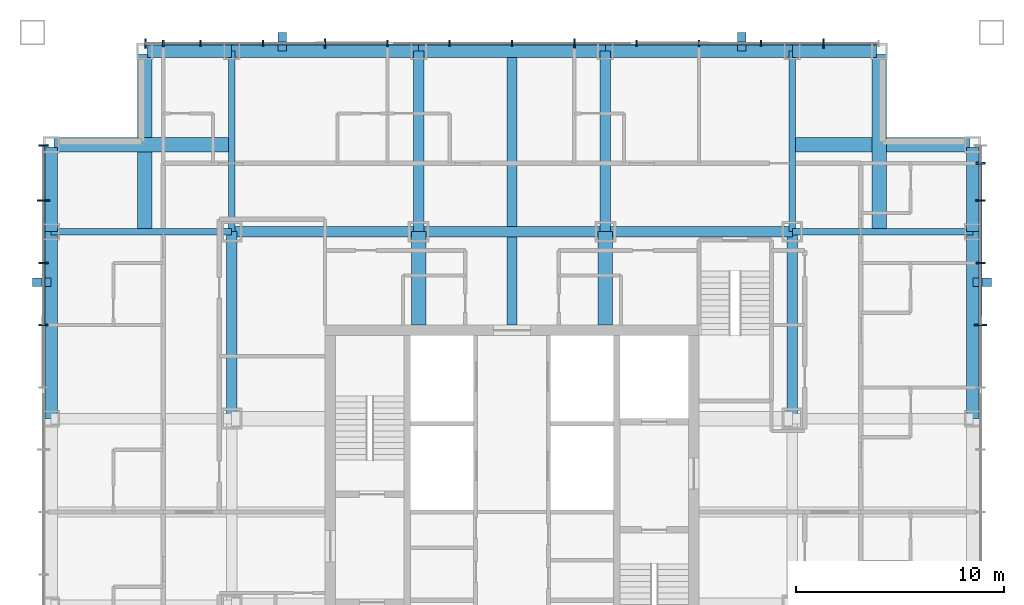
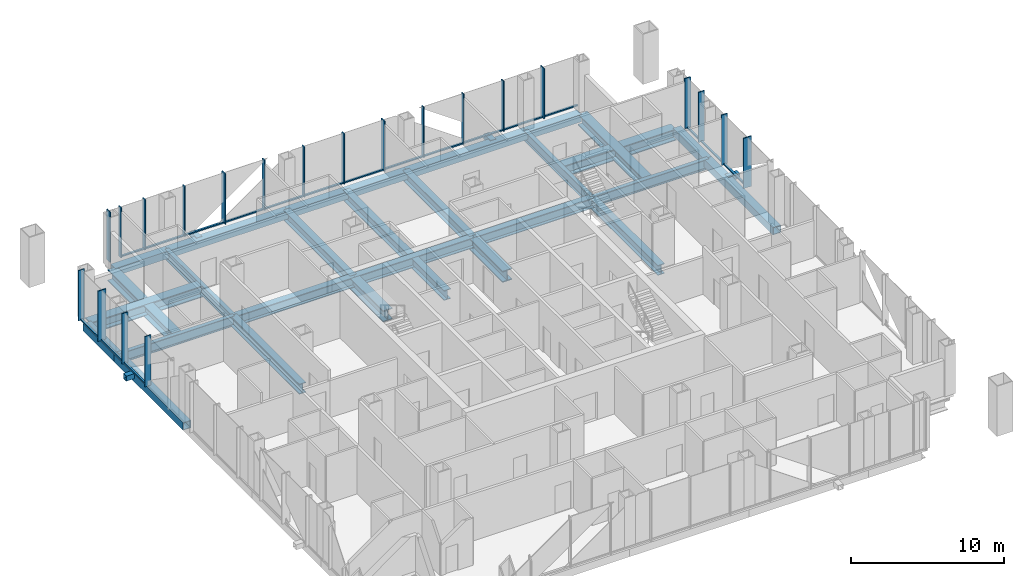
# One storey, part 4 of 17: 43 members, 27 beams, 3 elements without a shape of their own.
"""IFC4 building model written with IfcOpenShell, lengths in metres."""

import ifcopenshell
import ifcopenshell.guid

model = None  # the IFC model being written
_history = None  # IfcOwnerHistory: only IFC2X3 demands one
_inside = {}  # id of a spatial element -> (the spatial element, [elements in it])
_under = {}  # id of a project, library or spatial element -> (it, [spatial elements below it])
_declared = {}  # id of a project -> (the project, [libraries it declares])
_typed = {}  # id of a type object -> (the type object, [elements of that type])
_made_of = {}  # id of a material, layer set ... -> (it, [elements and type objects made of it])


def new_model(schema):
    """Start an empty IFC model of exactly this schema.

    Asked for "IFC4X3", IfcOpenShell would pick the latest addendum, in which some entities
    have other attributes; the version numbers below select the first issue.
    IFC2X3 requires an IfcOwnerHistory on every rooted entity: one is made here for all.
    """
    global model, _history
    if schema == "IFC4X3":
        model = ifcopenshell.file(schema_version=(4, 3, 0, 0))
    else:
        model = ifcopenshell.file(schema=schema)
    _inside.clear()
    _under.clear()
    _declared.clear()
    _typed.clear()
    _made_of.clear()
    _history = None
    if model.schema == "IFC2X3":
        org = make("IfcOrganization", Name="unknown")
        user = make(
            "IfcPersonAndOrganization",
            ThePerson=make("IfcPerson", FamilyName="unknown"),
            TheOrganization=org,
        )
        app = make(
            "IfcApplication",
            ApplicationDeveloper=org,
            Version="unknown",
            ApplicationFullName="unknown",
            ApplicationIdentifier="unknown",
        )
        _history = make(
            "IfcOwnerHistory",
            OwningUser=user,
            OwningApplication=app,
            ChangeAction="ADDED",
            CreationDate=0,
        )
    return model


def make(cls, **values):
    """One entity of the class cls with the attributes given. An attribute that is None is left unset."""
    return model.create_entity(
        cls, **{name: value for name, value in values.items() if value is not None}
    )


def rooted(cls, **values):
    """An entity with a GlobalId (a new one), such as an element, a storey or a relation."""
    return make(cls, GlobalId=ifcopenshell.guid.new(), OwnerHistory=_history, **values)


def si_unit(unit_type, name, prefix=None):
    """IfcSIUnit, for example si_unit("LENGTHUNIT", "METRE", prefix="MILLI")."""
    return make("IfcSIUnit", UnitType=unit_type, Prefix=prefix, Name=name)


def assignment(units):
    """IfcUnitAssignment: the units of a project."""
    return None if units is None else make("IfcUnitAssignment", Units=units)


def point(xyz):
    """IfcCartesianPoint."""
    return None if xyz is None else make("IfcCartesianPoint", Coordinates=xyz)


def direction(xyz):
    """IfcDirection."""
    return None if xyz is None else make("IfcDirection", DirectionRatios=xyz)


def frame(location, z_axis=None, x_axis=None):
    """IfcAxis2Placement3D, a coordinate frame: its origin and axes. An axis left out is left unset."""
    return make(
        "IfcAxis2Placement3D",
        Location=point(location),
        Axis=direction(z_axis),
        RefDirection=direction(x_axis),
    )


def frame_2d(location, x_axis=None):
    """IfcAxis2Placement2D, a coordinate frame in the plane: its origin and x axis."""
    return make(
        "IfcAxis2Placement2D", Location=point(location), RefDirection=direction(x_axis)
    )


def origin():
    """The frame at (0, 0, 0) with its axes left unset."""
    return frame((0.0, 0.0, 0.0))


def origin_2d():
    """The frame at (0, 0) in the plane with its x axis left unset."""
    return frame_2d((0.0, 0.0))


def place(relative_to, where):
    """IfcLocalPlacement: puts the frame where relative to a parent placement (None: the world)."""
    return make(
        "IfcLocalPlacement", PlacementRelTo=relative_to, RelativePlacement=where
    )


def context(
    kind, dimensions, precision=None, world=None, true_north=None, identifier=None
):
    """IfcGeometricRepresentationContext, for example the 3D "Model" context."""
    return make(
        "IfcGeometricRepresentationContext",
        ContextIdentifier=identifier,
        ContextType=kind,
        CoordinateSpaceDimension=dimensions,
        Precision=precision,
        WorldCoordinateSystem=world,
        TrueNorth=true_north,
    )


def subcontext(parent, identifier, kind, view, scale=None):
    """IfcGeometricRepresentationSubContext, for example "Body" below "Model"."""
    return make(
        "IfcGeometricRepresentationSubContext",
        ContextIdentifier=identifier,
        ContextType=kind,
        ParentContext=parent,
        TargetScale=scale,
        TargetView=view,
    )


def project(units=None, contexts=None):
    """IfcProject with its units and contexts."""
    return rooted(
        "IfcProject",
        Name="project",
        RepresentationContexts=contexts,
        UnitsInContext=assignment(units),
    )


def spatial(cls, under=None, at=None, **own):
    """A site, building, storey or space (cls), placed at a placement, below another one or the project."""
    s = rooted(cls, ObjectPlacement=at, **own)
    if under is not None:
        _under.setdefault(under.id(), (under, []))[1].append(s)
    return s


def profile(cls, at=None, kind="AREA", **sizes):
    """A parametric profile (cls). Its sizes go by their IFC names, for example OverallWidth=200.0."""
    return make(cls, ProfileType=kind, Position=at, **sizes)


def rectangle(**sizes):
    """IfcRectangleProfileDef."""
    return profile("IfcRectangleProfileDef", **sizes)


def hollow_rectangle(**sizes):
    """IfcRectangleHollowProfileDef."""
    return profile("IfcRectangleHollowProfileDef", **sizes)


def i_section(**sizes):
    """IfcIShapeProfileDef."""
    return profile("IfcIShapeProfileDef", **sizes)


def extrude(swept, where, along, depth):
    """IfcExtrudedAreaSolid: the profile swept, set in the frame where, extruded along a direction by depth."""
    return make(
        "IfcExtrudedAreaSolid",
        SweptArea=swept,
        Position=where,
        ExtrudedDirection=direction(along),
        Depth=depth,
    )


def shape(context_of_items, identifier, shape_type, items):
    """IfcShapeRepresentation: the items that make up one representation, for example the "Body"."""
    return make(
        "IfcShapeRepresentation",
        ContextOfItems=context_of_items,
        RepresentationIdentifier=identifier,
        RepresentationType=shape_type,
        Items=items,
    )


def material(Name=None, Category=None):
    """IfcMaterial."""
    return make("IfcMaterial", Name=Name, Category=Category)


def layer(
    of_material, thickness, ventilated=None, Name=None, Category=None, Priority=None
):
    """IfcMaterialLayer: one layer of a wall or slab, of a material (None: an air gap)."""
    return make(
        "IfcMaterialLayer",
        Material=of_material,
        LayerThickness=thickness,
        IsVentilated=ventilated,
        Name=Name,
        Category=Category,
        Priority=Priority,
    )


def layer_set(layers, Name=None):
    """IfcMaterialLayerSet."""
    return make("IfcMaterialLayerSet", MaterialLayers=layers, LayerSetName=Name)


def material_profile(
    of_material, cross_section, Name=None, Category=None, Priority=None
):
    """IfcMaterialProfile: a cross section and its material."""
    return make(
        "IfcMaterialProfile",
        Name=Name,
        Material=of_material,
        Profile=cross_section,
        Priority=Priority,
        Category=Category,
    )


def profile_set(profiles, Name=None, composite=None):
    """IfcMaterialProfileSet."""
    return make(
        "IfcMaterialProfileSet",
        Name=Name,
        MaterialProfiles=profiles,
        CompositeProfile=composite,
    )


def made_of(thing, what):
    """Note that an element or type object is made of a material, layer set ...; save() writes the relation."""
    if what is not None:
        _made_of.setdefault(what.id(), (what, []))[1].append(thing)
    return thing


def type_object(cls, material=None, **own):
    """A type object (cls), such as IfcWallType, which elements share."""
    return made_of(rooted(cls, **own), material)


def element(
    cls,
    number,
    at=None,
    inside=None,
    cuts=None,
    type_object=None,
    material=None,
    context=None,
    identifier="Body",
    shape_type=None,
    held_by="IfcProductDefinitionShape",
    body=None,
    shapes=None,
    **own,
):
    """One element of the class cls, such as IfcWall. Its Tag is "e" and its number.

    at: its placement. inside: the storey or other place that contains it. cuts: it is an
    opening in that element (IfcRelVoidsElement). A single representation is given by context,
    identifier, shape_type and body (its items); several are given by shapes. held_by: the class
    of the entity that holds the representations. save() writes the other relations.
    """
    e = rooted(cls, Tag="e%d" % number, ObjectPlacement=at, **own)
    if body is not None:
        shapes = [shape(context, identifier, shape_type, body)]
    if shapes is not None:
        e.Representation = make(held_by, Representations=shapes)
    if inside is not None:
        _inside.setdefault(inside.id(), (inside, []))[1].append(e)
    if cuts is not None:
        rooted(
            "IfcRelVoidsElement", RelatingBuildingElement=cuts, RelatedOpeningElement=e
        )
    if type_object is not None:
        _typed.setdefault(type_object.id(), (type_object, []))[1].append(e)
    return made_of(e, material)


def aggregate(whole, parts):
    """IfcRelAggregates: a whole, such as a stair, and the parts it consists of."""
    return rooted("IfcRelAggregates", RelatingObject=whole, RelatedObjects=parts)


def save(model, path):
    """Write the relations noted so far, then the file.

    IfcRelAggregates (storeys below a building ...), IfcRelContainedInSpatialStructure (elements
    in a storey), IfcRelDefinesByType, IfcRelAssociatesMaterial and IfcRelDeclares: one each for
    every whole, place, type object, material and project.
    """
    for whole, parts in _under.values():
        aggregate(whole, parts)
    for where, things in _inside.values():
        rooted(
            "IfcRelContainedInSpatialStructure",
            RelatedElements=things,
            RelatingStructure=where,
        )
    for kind, things in _typed.values():
        rooted("IfcRelDefinesByType", RelatedObjects=things, RelatingType=kind)
    for what, things in _made_of.values():
        rooted("IfcRelAssociatesMaterial", RelatedObjects=things, RelatingMaterial=what)
    for by, libraries in _declared.values():
        rooted("IfcRelDeclares", RelatingContext=by, RelatedDefinitions=libraries)
    model.write(path)


model = new_model("IFC4")

# Units and contexts
model_context = context("Model", 3, precision=1e-05, world=origin(), true_north=direction((0.0, 1.0)))
body_context = subcontext(model_context, "Body", "Model", "MODEL_VIEW")
ifc_project = project(units=[si_unit("LENGTHUNIT", "METRE"), si_unit("AREAUNIT", "SQUARE_METRE"), si_unit("VOLUMEUNIT", "CUBIC_METRE"), si_unit("PLANEANGLEUNIT", "RADIAN"), si_unit("MASSUNIT", "GRAM", prefix="KILO")], contexts=[model_context])

# Site, building, storey
site_placement = place(None, origin())
site = spatial("IfcSite", under=ifc_project, at=site_placement, CompositionType="ELEMENT")
building_placement = place(site_placement, origin())
building = spatial("IfcBuilding", under=site, at=building_placement, Name="Malebo Sky Hospital", CompositionType="ELEMENT")
storey_placement = place(building_placement, frame((0.0, 0.0, 185.0)))
storey = spatial("IfcBuildingStorey", under=building, at=storey_placement, Name="L44", CompositionType="ELEMENT", Elevation=185.0)

# Curtain wall, members
ifc_material_1 = material(Name="Anodised aluminium, natural silver", Category="aluminium")
ifc_layer_1 = layer(ifc_material_1, 0.25)
ifc_layer_set_1 = layer_set([ifc_layer_1], Name="WARD CURTAIN WALL NORTH AND SOUTH")
curtain_wall_type_1 = type_object("IfcCurtainWallType", Name="WARD CURTAIN WALL NORTH AND SOUTH", PredefinedType="NOTDEFINED", material=ifc_layer_set_1)
curtain_wall_1_placement = place(storey_placement, origin())
curtain_wall_1 = element("IfcCurtainWall", 1, at=curtain_wall_1_placement, inside=storey, type_object=curtain_wall_type_1, Name="NS curtain wall N", PredefinedType="NOTDEFINED")
ifc_material_profile_1 = material_profile(ifc_material_1, rectangle(XDim=0.14990234375, YDim=0.10009765625, at=origin_2d()), Name="ALUMINIUM TRANSOM 150x100")
ifc_profile_set_1 = profile_set([ifc_material_profile_1], Name="Anodised aluminium, natural silver")
member_type_1 = type_object("IfcMemberType", Name="ALUMINIUM TRANSOM 150x100", PredefinedType="USERDEFINED", material=ifc_profile_set_1)
member_1_placement = place(storey_placement, frame((43.237548828125, 84.574951171875, 0.050048828125), z_axis=(1.0, 0.0, 0.0), x_axis=(0.0, 1.0, 0.0)))
member_1 = element("IfcMember", 2, at=member_1_placement, type_object=member_type_1, Name="Transom 2", ObjectType="TRANSOM", PredefinedType="USERDEFINED", context=body_context, shape_type="SweptSolid", body=[
    extrude(rectangle(XDim=0.14990234375, YDim=0.10009765625, at=origin_2d()), origin(), (0.0, 0.0, 1.0), 1.724853515625),
])
member_2_placement = place(storey_placement, frame((45.03759765625, 84.574951171875, 0.050048828125), z_axis=(1.0, 0.0, 0.0), x_axis=(0.0, 1.0, 0.0)))
member_2 = element("IfcMember", 3, at=member_2_placement, type_object=member_type_1, Name="Transom 3", ObjectType="TRANSOM", PredefinedType="USERDEFINED", context=body_context, shape_type="SweptSolid", body=[
    extrude(rectangle(XDim=0.14990234375, YDim=0.10009765625, at=origin_2d()), origin(), (0.0, 0.0, 1.0), 2.9248046875),
])
member_3_placement = place(storey_placement, frame((48.03759765625, 84.574951171875, 0.050048828125), z_axis=(1.0, 0.0, 0.0), x_axis=(0.0, 1.0, 0.0)))
member_3 = element("IfcMember", 4, at=member_3_placement, type_object=member_type_1, Name="Transom 4", ObjectType="TRANSOM", PredefinedType="USERDEFINED", context=body_context, shape_type="SweptSolid", body=[
    extrude(rectangle(XDim=0.14990234375, YDim=0.10009765625, at=origin_2d()), origin(), (0.0, 0.0, 1.0), 2.9248046875),
])
member_4_placement = place(storey_placement, frame((51.03759765625, 84.574951171875, 0.050048828125), z_axis=(1.0, 0.0, 0.0), x_axis=(0.0, 1.0, 0.0)))
member_4 = element("IfcMember", 5, at=member_4_placement, type_object=member_type_1, Name="Transom 5", ObjectType="TRANSOM", PredefinedType="USERDEFINED", context=body_context, shape_type="SweptSolid", body=[
    extrude(rectangle(XDim=0.14990234375, YDim=0.10009765625, at=origin_2d()), origin(), (0.0, 0.0, 1.0), 2.9248046875),
])
member_5_placement = place(storey_placement, frame((54.03759765625, 84.574951171875, 0.050048828125), z_axis=(1.0, 0.0, 0.0), x_axis=(0.0, 1.0, 0.0)))
member_5 = element("IfcMember", 6, at=member_5_placement, type_object=member_type_1, Name="Transom 6", ObjectType="TRANSOM", PredefinedType="USERDEFINED", context=body_context, shape_type="SweptSolid", body=[
    extrude(rectangle(XDim=0.14990234375, YDim=0.10009765625, at=origin_2d()), origin(), (0.0, 0.0, 1.0), 2.9248046875),
])
member_6_placement = place(storey_placement, frame((57.03759765625, 84.574951171875, 0.050048828125), z_axis=(1.0, 0.0, 0.0), x_axis=(0.0, 1.0, 0.0)))
member_6 = element("IfcMember", 7, at=member_6_placement, type_object=member_type_1, Name="Transom 7", ObjectType="TRANSOM", PredefinedType="USERDEFINED", context=body_context, shape_type="SweptSolid", body=[
    extrude(rectangle(XDim=0.14990234375, YDim=0.10009765625, at=origin_2d()), origin(), (0.0, 0.0, 1.0), 2.9248046875),
])
member_7_placement = place(storey_placement, frame((60.03759765625, 84.574951171875, 0.050048828125), z_axis=(1.0, 0.0, 0.0), x_axis=(0.0, 1.0, 0.0)))
member_7 = element("IfcMember", 8, at=member_7_placement, type_object=member_type_1, Name="Transom 8", ObjectType="TRANSOM", PredefinedType="USERDEFINED", context=body_context, shape_type="SweptSolid", body=[
    extrude(rectangle(XDim=0.14990234375, YDim=0.10009765625, at=origin_2d()), origin(), (0.0, 0.0, 1.0), 2.9248046875),
])
member_8_placement = place(storey_placement, frame((63.03759765625, 84.574951171875, 0.050048828125), z_axis=(1.0, 0.0, 0.0), x_axis=(0.0, 1.0, 0.0)))
member_8 = element("IfcMember", 9, at=member_8_placement, type_object=member_type_1, Name="Transom 9", ObjectType="TRANSOM", PredefinedType="USERDEFINED", context=body_context, shape_type="SweptSolid", body=[
    extrude(rectangle(XDim=0.14990234375, YDim=0.10009765625, at=origin_2d()), origin(), (0.0, 0.0, 1.0), 2.9248046875),
])
member_9_placement = place(storey_placement, frame((66.03759765625, 84.574951171875, 0.050048828125), z_axis=(1.0, 0.0, 0.0), x_axis=(0.0, 1.0, 0.0)))
member_9 = element("IfcMember", 10, at=member_9_placement, type_object=member_type_1, Name="Transom 10", ObjectType="TRANSOM", PredefinedType="USERDEFINED", context=body_context, shape_type="SweptSolid", body=[
    extrude(rectangle(XDim=0.14990234375, YDim=0.10009765625, at=origin_2d()), origin(), (0.0, 0.0, 1.0), 2.9248046875),
])
member_10_placement = place(storey_placement, frame((69.03759765625, 84.574951171875, 0.050048828125), z_axis=(1.0, 0.0, 0.0), x_axis=(0.0, 1.0, 0.0)))
member_10 = element("IfcMember", 11, at=member_10_placement, type_object=member_type_1, Name="Transom 11", ObjectType="TRANSOM", PredefinedType="USERDEFINED", context=body_context, shape_type="SweptSolid", body=[
    extrude(rectangle(XDim=0.14990234375, YDim=0.10009765625, at=origin_2d()), origin(), (0.0, 0.0, 1.0), 2.9248046875),
])
member_11_placement = place(storey_placement, frame((72.03759765625, 84.574951171875, 0.050048828125), z_axis=(1.0, 0.0, 0.0), x_axis=(0.0, 1.0, 0.0)))
member_11 = element("IfcMember", 12, at=member_11_placement, type_object=member_type_1, Name="Transom 12", ObjectType="TRANSOM", PredefinedType="USERDEFINED", context=body_context, shape_type="SweptSolid", body=[
    extrude(rectangle(XDim=0.14990234375, YDim=0.10009765625, at=origin_2d()), origin(), (0.0, 0.0, 1.0), 2.9248046875),
])
member_12_placement = place(storey_placement, frame((75.03759765625, 84.574951171875, 0.050048828125), z_axis=(1.0, 0.0, 0.0), x_axis=(0.0, 1.0, 0.0)))
member_12 = element("IfcMember", 13, at=member_12_placement, type_object=member_type_1, Name="Transom 13", ObjectType="TRANSOM", PredefinedType="USERDEFINED", context=body_context, shape_type="SweptSolid", body=[
    extrude(rectangle(XDim=0.14990234375, YDim=0.10009765625, at=origin_2d()), origin(), (0.0, 0.0, 1.0), 2.58740234375),
])

ifc_layer_2 = layer(ifc_material_1, 0.25)
ifc_layer_set_2 = layer_set([ifc_layer_2], Name="WARD CURTAIN WALL EAST AND WEST")
curtain_wall_type_2 = type_object("IfcCurtainWallType", Name="WARD CURTAIN WALL EAST AND WEST", PredefinedType="NOTDEFINED", material=ifc_layer_set_2)
curtain_wall_2_placement = place(storey_placement, origin())
curtain_wall_2 = element("IfcCurtainWall", 14, at=curtain_wall_2_placement, inside=storey, type_object=curtain_wall_type_2, Name="EW curtain wall W", PredefinedType="NOTDEFINED")
member_13_placement = place(storey_placement, frame((37.425048828125, 71.03759765625, 0.050048828125), z_axis=(0.0, 1.0, 0.0), x_axis=(-1.0, 0.0, 0.0)))
member_13 = element("IfcMember", 15, at=member_13_placement, type_object=member_type_1, Name="Transom 11", ObjectType="TRANSOM", PredefinedType="USERDEFINED", context=body_context, shape_type="SweptSolid", body=[
    extrude(rectangle(XDim=0.14990234375, YDim=0.10009765625, at=origin_2d()), origin(), (0.0, 0.0, 1.0), 2.9248046875),
])
member_14_placement = place(storey_placement, frame((37.425048828125, 74.03759765625, 0.050048828125), z_axis=(0.0, 1.0, 0.0), x_axis=(-1.0, 0.0, 0.0)))
member_14 = element("IfcMember", 16, at=member_14_placement, type_object=member_type_1, Name="Transom 12", ObjectType="TRANSOM", PredefinedType="USERDEFINED", context=body_context, shape_type="SweptSolid", body=[
    extrude(rectangle(XDim=0.14990234375, YDim=0.10009765625, at=origin_2d()), origin(), (0.0, 0.0, 1.0), 2.9248046875),
])
member_15_placement = place(storey_placement, frame((37.425048828125, 77.03759765625, 0.050048828125), z_axis=(0.0, 1.0, 0.0), x_axis=(-1.0, 0.0, 0.0)))
member_15 = element("IfcMember", 17, at=member_15_placement, type_object=member_type_1, Name="Transom 13", ObjectType="TRANSOM", PredefinedType="USERDEFINED", context=body_context, shape_type="SweptSolid", body=[
    extrude(rectangle(XDim=0.14990234375, YDim=0.10009765625, at=origin_2d()), origin(), (0.0, 0.0, 1.0), 2.58740234375),
])

curtain_wall_3_placement = place(storey_placement, origin())
curtain_wall_3 = element("IfcCurtainWall", 18, at=curtain_wall_3_placement, inside=storey, type_object=curtain_wall_type_2, Name="EW curtain wall E", PredefinedType="NOTDEFINED")
member_16_placement = place(storey_placement, frame((82.574951171875, 78.762451171875, 0.050048828125), z_axis=(0.0, -1.0, 0.0), x_axis=(1.0, 0.0, 0.0)))
member_16 = element("IfcMember", 19, at=member_16_placement, type_object=member_type_1, Name="Transom 2", ObjectType="TRANSOM", PredefinedType="USERDEFINED", context=body_context, shape_type="SweptSolid", body=[
    extrude(rectangle(XDim=0.14990234375, YDim=0.10009765625, at=origin_2d()), origin(), (0.0, 0.0, 1.0), 1.724853515625),
])
member_17_placement = place(storey_placement, frame((82.574951171875, 76.96240234375, 0.050048828125), z_axis=(0.0, -1.0, 0.0), x_axis=(1.0, 0.0, 0.0)))
member_17 = element("IfcMember", 20, at=member_17_placement, type_object=member_type_1, Name="Transom 3", ObjectType="TRANSOM", PredefinedType="USERDEFINED", context=body_context, shape_type="SweptSolid", body=[
    extrude(rectangle(XDim=0.14990234375, YDim=0.10009765625, at=origin_2d()), origin(), (0.0, 0.0, 1.0), 2.9248046875),
])
member_18_placement = place(storey_placement, frame((82.574951171875, 73.96240234375, 0.050048828125), z_axis=(0.0, -1.0, 0.0), x_axis=(1.0, 0.0, 0.0)))
member_18 = element("IfcMember", 21, at=member_18_placement, type_object=member_type_1, Name="Transom 4", ObjectType="TRANSOM", PredefinedType="USERDEFINED", context=body_context, shape_type="SweptSolid", body=[
    extrude(rectangle(XDim=0.14990234375, YDim=0.10009765625, at=origin_2d()), origin(), (0.0, 0.0, 1.0), 2.9248046875),
])

# Members
ifc_material_2 = material(Name="Steel S355", Category="steel")
ifc_material_profile_2 = material_profile(ifc_material_2, hollow_rectangle(XDim=0.39990234375, YDim=0.39990234375, WallThickness=0.02001953125, at=origin_2d()), Name="SHS 400x20")
ifc_profile_set_2 = profile_set([ifc_material_profile_2], Name="Steel S355")
member_type_2 = type_object("IfcMemberType", Name="BRACE STRUT SHS 400x20", PredefinedType="STRUT", material=ifc_profile_set_2)
for number, where, z_axis, x_axis, name in (
    (22, (71.069580078125, 85.10009765625, -0.39990234375), (0.0, -1.0, 0.0), (1.0, 0.0, 0.0), "Brace strut CN1 L44"),
    (23, (48.930419921875, 85.10009765625, -0.39990234375), (0.0, -1.0, 0.0), (1.0, 0.0, 0.0), "Brace strut CN2 L44"),
    (24, (83.10009765625, 73.069580078125, -0.39990234375), (-1.0, 0.0, 0.0), (0.0, -1.0, 0.0), "Brace strut CE2 L44"),
    (25, (36.89990234375, 73.069580078125, -0.39990234375), (1.0, 0.0, 0.0), (0.0, 1.0, 0.0), "Brace strut CW1 L44"),
):
    element("IfcMember", number, at=place(storey_placement, frame(where, z_axis=z_axis, x_axis=x_axis)), inside=storey, type_object=member_type_2, Name=name, PredefinedType="STRUT", context=body_context, shape_type="SweptSolid", body=[
        extrude(hollow_rectangle(XDim=0.39990234375, YDim=0.39990234375, WallThickness=0.02001953125, at=origin_2d()), origin(), (0.0, 0.0, 1.0), 0.900146484375),
    ])

# Member
ifc_material_profile_3 = material_profile(ifc_material_1, rectangle(XDim=0.074951171875, YDim=0.300048828125, at=origin_2d()), Name="CW1 ALUMINIUM FIN MULLION 75x300")
ifc_profile_set_3 = profile_set([ifc_material_profile_3], Name="Anodised aluminium, natural silver")
member_type_3 = type_object("IfcMemberType", Name="CW1 ALUMINIUM FIN MULLION 75x300", PredefinedType="MULLION", material=ifc_profile_set_3)
member_19_placement = place(storey_placement, frame((43.199951171875, 84.574951171875, 0.0), z_axis=(0.0, 0.0, 1.0), x_axis=(1.0, 0.0, 0.0)))
member_19 = element("IfcMember", 26, at=member_19_placement, type_object=member_type_3, Name="Fin mullion 2", PredefinedType="MULLION", context=body_context, shape_type="SweptSolid", body=[
    extrude(rectangle(XDim=0.074951171875, YDim=0.300048828125, at=origin_2d()), origin(), (0.0, 0.0, 1.0), 4.0),
])

member_20_placement = place(storey_placement, frame((45.0, 84.574951171875, 0.0), z_axis=(0.0, 0.0, 1.0), x_axis=(1.0, 0.0, 0.0)))
member_20 = element("IfcMember", 27, at=member_20_placement, type_object=member_type_3, Name="Fin mullion 3", PredefinedType="MULLION", context=body_context, shape_type="SweptSolid", body=[
    extrude(rectangle(XDim=0.074951171875, YDim=0.300048828125, at=origin_2d()), origin(), (0.0, 0.0, 1.0), 4.0),
])

member_21_placement = place(storey_placement, frame((48.0, 84.574951171875, 0.0), z_axis=(0.0, 0.0, 1.0), x_axis=(1.0, 0.0, 0.0)))
member_21 = element("IfcMember", 28, at=member_21_placement, type_object=member_type_3, Name="Fin mullion 4", PredefinedType="MULLION", context=body_context, shape_type="SweptSolid", body=[
    extrude(rectangle(XDim=0.074951171875, YDim=0.300048828125, at=origin_2d()), origin(), (0.0, 0.0, 1.0), 4.0),
])

member_22_placement = place(storey_placement, frame((54.0, 84.574951171875, 0.0), z_axis=(0.0, 0.0, 1.0), x_axis=(1.0, 0.0, 0.0)))
member_22 = element("IfcMember", 29, at=member_22_placement, type_object=member_type_3, Name="Fin mullion 6", PredefinedType="MULLION", context=body_context, shape_type="SweptSolid", body=[
    extrude(rectangle(XDim=0.074951171875, YDim=0.300048828125, at=origin_2d()), origin(), (0.0, 0.0, 1.0), 4.0),
])

member_23_placement = place(storey_placement, frame((57.0, 84.574951171875, 0.0), z_axis=(0.0, 0.0, 1.0), x_axis=(1.0, 0.0, 0.0)))
member_23 = element("IfcMember", 30, at=member_23_placement, type_object=member_type_3, Name="Fin mullion 7", PredefinedType="MULLION", context=body_context, shape_type="SweptSolid", body=[
    extrude(rectangle(XDim=0.074951171875, YDim=0.300048828125, at=origin_2d()), origin(), (0.0, 0.0, 1.0), 4.0),
])

member_24_placement = place(storey_placement, frame((60.0, 84.574951171875, 0.0), z_axis=(0.0, 0.0, 1.0), x_axis=(1.0, 0.0, 0.0)))
member_24 = element("IfcMember", 31, at=member_24_placement, type_object=member_type_3, Name="Fin mullion 8", PredefinedType="MULLION", context=body_context, shape_type="SweptSolid", body=[
    extrude(rectangle(XDim=0.074951171875, YDim=0.300048828125, at=origin_2d()), origin(), (0.0, 0.0, 1.0), 4.0),
])

member_25_placement = place(storey_placement, frame((66.0, 84.574951171875, 0.0), z_axis=(0.0, 0.0, 1.0), x_axis=(1.0, 0.0, 0.0)))
member_25 = element("IfcMember", 32, at=member_25_placement, type_object=member_type_3, Name="Fin mullion 10", PredefinedType="MULLION", context=body_context, shape_type="SweptSolid", body=[
    extrude(rectangle(XDim=0.074951171875, YDim=0.300048828125, at=origin_2d()), origin(), (0.0, 0.0, 1.0), 4.0),
])

member_26_placement = place(storey_placement, frame((69.0, 84.574951171875, 0.0), z_axis=(0.0, 0.0, 1.0), x_axis=(1.0, 0.0, 0.0)))
member_26 = element("IfcMember", 33, at=member_26_placement, type_object=member_type_3, Name="Fin mullion 11", PredefinedType="MULLION", context=body_context, shape_type="SweptSolid", body=[
    extrude(rectangle(XDim=0.074951171875, YDim=0.300048828125, at=origin_2d()), origin(), (0.0, 0.0, 1.0), 4.0),
])

member_27_placement = place(storey_placement, frame((72.0, 84.574951171875, 0.0), z_axis=(0.0, 0.0, 1.0), x_axis=(1.0, 0.0, 0.0)))
member_27 = element("IfcMember", 34, at=member_27_placement, type_object=member_type_3, Name="Fin mullion 12", PredefinedType="MULLION", context=body_context, shape_type="SweptSolid", body=[
    extrude(rectangle(XDim=0.074951171875, YDim=0.300048828125, at=origin_2d()), origin(), (0.0, 0.0, 1.0), 4.0),
])

ifc_material_profile_4 = material_profile(ifc_material_1, rectangle(XDim=0.074951171875, YDim=0.449951171875, at=origin_2d()), Name="CW1 ALUMINIUM FIN MULLION 75x450")
ifc_profile_set_4 = profile_set([ifc_material_profile_4], Name="Anodised aluminium, natural silver")
member_type_4 = type_object("IfcMemberType", Name="CW1 ALUMINIUM FIN MULLION 75x450", PredefinedType="MULLION", material=ifc_profile_set_4)
member_28_placement = place(storey_placement, frame((42.33740234375, 84.574951171875, 0.0), z_axis=(0.0, 0.0, 1.0), x_axis=(1.0, 0.0, 0.0)))
member_28 = element("IfcMember", 35, at=member_28_placement, type_object=member_type_4, Name="Fin mullion 1", PredefinedType="MULLION", context=body_context, shape_type="SweptSolid", body=[
    extrude(rectangle(XDim=0.074951171875, YDim=0.449951171875, at=origin_2d()), origin(), (0.0, 0.0, 1.0), 4.0),
])

member_29_placement = place(storey_placement, frame((51.0, 84.574951171875, 0.0), z_axis=(0.0, 0.0, 1.0), x_axis=(1.0, 0.0, 0.0)))
member_29 = element("IfcMember", 36, at=member_29_placement, type_object=member_type_4, Name="Fin mullion 5", PredefinedType="MULLION", context=body_context, shape_type="SweptSolid", body=[
    extrude(rectangle(XDim=0.074951171875, YDim=0.449951171875, at=origin_2d()), origin(), (0.0, 0.0, 1.0), 4.0),
])

member_30_placement = place(storey_placement, frame((63.0, 84.574951171875, 0.0), z_axis=(0.0, 0.0, 1.0), x_axis=(1.0, 0.0, 0.0)))
member_30 = element("IfcMember", 37, at=member_30_placement, type_object=member_type_4, Name="Fin mullion 9", PredefinedType="MULLION", context=body_context, shape_type="SweptSolid", body=[
    extrude(rectangle(XDim=0.074951171875, YDim=0.449951171875, at=origin_2d()), origin(), (0.0, 0.0, 1.0), 4.0),
])

member_31_placement = place(storey_placement, frame((75.0, 84.574951171875, 0.0), z_axis=(0.0, 0.0, 1.0), x_axis=(1.0, 0.0, 0.0)))
member_31 = element("IfcMember", 38, at=member_31_placement, type_object=member_type_4, Name="Fin mullion 13", PredefinedType="MULLION", context=body_context, shape_type="SweptSolid", body=[
    extrude(rectangle(XDim=0.074951171875, YDim=0.449951171875, at=origin_2d()), origin(), (0.0, 0.0, 1.0), 4.0),
])

aggregate(curtain_wall_1, [member_28, member_19, member_20, member_21, member_29, member_22, member_23, member_24, member_30, member_25, member_26, member_27, member_31, member_1, member_2, member_3, member_4, member_5, member_6, member_7, member_8, member_9, member_10, member_11, member_12])

ifc_material_profile_5 = material_profile(ifc_material_1, rectangle(XDim=0.074951171875, YDim=0.449951171875, at=origin_2d()), Name="CW2 ALUMINIUM FIN MULLION 75x450")
ifc_profile_set_5 = profile_set([ifc_material_profile_5], Name="Anodised aluminium, natural silver")
member_type_5 = type_object("IfcMemberType", Name="CW2 ALUMINIUM FIN MULLION 75x450", PredefinedType="MULLION", material=ifc_profile_set_5)
member_32_placement = place(storey_placement, frame((37.425048828125, 71.0, 0.0), z_axis=(0.0, 0.0, 1.0), x_axis=(0.0, 1.0, 0.0)))
member_32 = element("IfcMember", 39, at=member_32_placement, type_object=member_type_5, Name="Fin mullion 11", PredefinedType="MULLION", context=body_context, shape_type="SweptSolid", body=[
    extrude(rectangle(XDim=0.074951171875, YDim=0.449951171875, at=origin_2d()), origin(), (0.0, 0.0, 1.0), 4.0),
])

member_33_placement = place(storey_placement, frame((37.425048828125, 74.0, 0.0), z_axis=(0.0, 0.0, 1.0), x_axis=(0.0, 1.0, 0.0)))
member_33 = element("IfcMember", 40, at=member_33_placement, type_object=member_type_5, Name="Fin mullion 12", PredefinedType="MULLION", context=body_context, shape_type="SweptSolid", body=[
    extrude(rectangle(XDim=0.074951171875, YDim=0.449951171875, at=origin_2d()), origin(), (0.0, 0.0, 1.0), 4.0),
])

member_34_placement = place(storey_placement, frame((37.425048828125, 79.66259765625, 0.0), z_axis=(0.0, 0.0, 1.0), x_axis=(0.0, 1.0, 0.0)))
member_34 = element("IfcMember", 41, at=member_34_placement, type_object=member_type_5, Name="Fin mullion 14", PredefinedType="MULLION", context=body_context, shape_type="SweptSolid", body=[
    extrude(rectangle(XDim=0.074951171875, YDim=0.449951171875, at=origin_2d()), origin(), (0.0, 0.0, 1.0), 4.0),
])

member_35_placement = place(storey_placement, frame((82.574951171875, 78.800048828125, 0.0), z_axis=(0.0, 0.0, 1.0), x_axis=(0.0, -1.0, 0.0)))
member_35 = element("IfcMember", 42, at=member_35_placement, type_object=member_type_5, Name="Fin mullion 2", PredefinedType="MULLION", context=body_context, shape_type="SweptSolid", body=[
    extrude(rectangle(XDim=0.074951171875, YDim=0.449951171875, at=origin_2d()), origin(), (0.0, 0.0, 1.0), 4.0),
])

member_36_placement = place(storey_placement, frame((82.574951171875, 77.0, 0.0), z_axis=(0.0, 0.0, 1.0), x_axis=(0.0, -1.0, 0.0)))
member_36 = element("IfcMember", 43, at=member_36_placement, type_object=member_type_5, Name="Fin mullion 3", PredefinedType="MULLION", context=body_context, shape_type="SweptSolid", body=[
    extrude(rectangle(XDim=0.074951171875, YDim=0.449951171875, at=origin_2d()), origin(), (0.0, 0.0, 1.0), 4.0),
])

member_37_placement = place(storey_placement, frame((82.574951171875, 74.0, 0.0), z_axis=(0.0, 0.0, 1.0), x_axis=(0.0, -1.0, 0.0)))
member_37 = element("IfcMember", 44, at=member_37_placement, type_object=member_type_5, Name="Fin mullion 4", PredefinedType="MULLION", context=body_context, shape_type="SweptSolid", body=[
    extrude(rectangle(XDim=0.074951171875, YDim=0.449951171875, at=origin_2d()), origin(), (0.0, 0.0, 1.0), 4.0),
])

ifc_material_profile_6 = material_profile(ifc_material_1, rectangle(XDim=0.074951171875, YDim=0.60009765625, at=origin_2d()), Name="CW2 ALUMINIUM FIN MULLION 75x600")
ifc_profile_set_6 = profile_set([ifc_material_profile_6], Name="Anodised aluminium, natural silver")
member_type_6 = type_object("IfcMemberType", Name="CW2 ALUMINIUM FIN MULLION 75x600", PredefinedType="MULLION", material=ifc_profile_set_6)
member_38_placement = place(storey_placement, frame((37.425048828125, 77.0, 0.0), z_axis=(0.0, 0.0, 1.0), x_axis=(0.0, 1.0, 0.0)))
member_38 = element("IfcMember", 45, at=member_38_placement, type_object=member_type_6, Name="Fin mullion 13", PredefinedType="MULLION", context=body_context, shape_type="SweptSolid", body=[
    extrude(rectangle(XDim=0.074951171875, YDim=0.60009765625, at=origin_2d()), origin(), (0.0, 0.0, 1.0), 4.0),
])

aggregate(curtain_wall_2, [member_32, member_33, member_38, member_34, member_13, member_14, member_15])

member_39_placement = place(storey_placement, frame((82.574951171875, 71.0, 0.0), z_axis=(0.0, 0.0, 1.0), x_axis=(0.0, -1.0, 0.0)))
member_39 = element("IfcMember", 46, at=member_39_placement, type_object=member_type_6, Name="Fin mullion 5", PredefinedType="MULLION", context=body_context, shape_type="SweptSolid", body=[
    extrude(rectangle(XDim=0.074951171875, YDim=0.60009765625, at=origin_2d()), origin(), (0.0, 0.0, 1.0), 4.0),
])

aggregate(curtain_wall_3, [member_35, member_36, member_37, member_39, member_16, member_17, member_18])

# Beams
ifc_material_3 = material(Name="Steel S460", Category="steel")
ifc_material_profile_7 = material_profile(ifc_material_3, hollow_rectangle(XDim=0.60009765625, YDim=0.60009765625, WallThickness=0.0400390625, at=origin_2d()), Name="BOX 600x600x40")
ifc_profile_set_7 = profile_set([ifc_material_profile_7], Name="Steel S460")
beam_type_1 = type_object("IfcBeamType", Name="EDGE BEAM BOX 600x600x40", PredefinedType="BEAM", material=ifc_profile_set_7)
beam_1_placement = place(storey_placement, frame((37.800048828125, 66.5, -0.550048828125), z_axis=(0.0, 1.0, 0.0), x_axis=(-1.0, 0.0, 0.0)))
element("IfcBeam", 47, at=beam_1_placement, inside=storey, type_object=beam_type_1, Name="Beam 003 L44", PredefinedType="BEAM", context=body_context, shape_type="SweptSolid", body=[
    extrude(hollow_rectangle(XDim=0.60009765625, YDim=0.60009765625, WallThickness=0.0400390625, at=origin_2d()), origin(), (0.0, 0.0, 1.0), 9.0),
])
beam_2_placement = place(storey_placement, frame((37.800048828125, 75.5, -0.550048828125), z_axis=(0.0, 1.0, 0.0), x_axis=(-1.0, 0.0, 0.0)))
element("IfcBeam", 48, at=beam_2_placement, inside=storey, type_object=beam_type_1, Name="Beam 004 L44", PredefinedType="BEAM", context=body_context, shape_type="SweptSolid", body=[
    extrude(hollow_rectangle(XDim=0.60009765625, YDim=0.60009765625, WallThickness=0.0400390625, at=origin_2d()), origin(), (0.0, 0.0, 1.0), 4.050048828125),
])
beam_3_placement = place(storey_placement, frame((82.199951171875, 66.5, -0.550048828125), z_axis=(0.0, 1.0, 0.0), x_axis=(-1.0, 0.0, 0.0)))
element("IfcBeam", 49, at=beam_3_placement, inside=storey, type_object=beam_type_1, Name="Beam 032 L44", PredefinedType="BEAM", context=body_context, shape_type="SweptSolid", body=[
    extrude(hollow_rectangle(XDim=0.60009765625, YDim=0.60009765625, WallThickness=0.0400390625, at=origin_2d()), origin(), (0.0, 0.0, 1.0), 9.0),
])
for number, where, z_axis, x_axis, name in (
    (50, (82.199951171875, 75.5, -0.550048828125), (0.0, 1.0, 0.0), (-1.0, 0.0, 0.0), "Beam 033 L44"),
    (51, (42.449951171875, 84.199951171875, -0.550048828125), (1.0, 0.0, 0.0), (0.0, 1.0, 0.0), "Beam 063 L44"),
):
    element("IfcBeam", number, at=place(storey_placement, frame(where, z_axis=z_axis, x_axis=x_axis)), inside=storey, type_object=beam_type_1, Name=name, PredefinedType="BEAM", context=body_context, shape_type="SweptSolid", body=[
        extrude(hollow_rectangle(XDim=0.60009765625, YDim=0.60009765625, WallThickness=0.0400390625, at=origin_2d()), origin(), (0.0, 0.0, 1.0), 4.050048828125),
    ])
for number, where, z_axis, x_axis, name in (
    (52, (46.5, 84.199951171875, -0.550048828125), (1.0, 0.0, 0.0), (0.0, 1.0, 0.0), "Beam 064 L44"),
    (53, (55.5, 84.199951171875, -0.550048828125), (1.0, 0.0, 0.0), (0.0, 1.0, 0.0), "Beam 065 L44"),
    (54, (64.5, 84.199951171875, -0.550048828125), (1.0, 0.0, 0.0), (0.0, 1.0, 0.0), "Beam 066 L44"),
):
    element("IfcBeam", number, at=place(storey_placement, frame(where, z_axis=z_axis, x_axis=x_axis)), inside=storey, type_object=beam_type_1, Name=name, PredefinedType="BEAM", context=body_context, shape_type="SweptSolid", body=[
        extrude(hollow_rectangle(XDim=0.60009765625, YDim=0.60009765625, WallThickness=0.0400390625, at=origin_2d()), origin(), (0.0, 0.0, 1.0), 9.0),
    ])
beam_4_placement = place(storey_placement, frame((73.5, 84.199951171875, -0.550048828125), z_axis=(1.0, 0.0, 0.0), x_axis=(0.0, 1.0, 0.0)))
element("IfcBeam", 55, at=beam_4_placement, inside=storey, type_object=beam_type_1, Name="Beam 067 L44", PredefinedType="BEAM", context=body_context, shape_type="SweptSolid", body=[
    extrude(hollow_rectangle(XDim=0.60009765625, YDim=0.60009765625, WallThickness=0.0400390625, at=origin_2d()), origin(), (0.0, 0.0, 1.0), 4.050048828125),
])
ifc_material_profile_8 = material_profile(ifc_material_2, i_section(OverallWidth=0.5, OverallDepth=0.800048828125, WebThickness=0.030029296875, FlangeThickness=0.050048828125, at=origin_2d()), Name="PG 800x500x30x50")
ifc_profile_set_8 = profile_set([ifc_material_profile_8], Name="Steel S355")
beam_type_2 = type_object("IfcBeamType", Name="FLOOR BEAM PG 800x500x30x50", PredefinedType="BEAM", material=ifc_profile_set_8)
beam_5_placement = place(storey_placement, frame((46.5, 66.5, -0.64990234375), z_axis=(0.0, 1.0, 0.0), x_axis=(-1.0, 0.0, 0.0)))
element("IfcBeam", 56, at=beam_5_placement, inside=storey, type_object=beam_type_2, Name="Beam 010 L44", PredefinedType="BEAM", context=body_context, shape_type="SweptSolid", body=[
    extrude(i_section(OverallWidth=0.5, OverallDepth=0.800048828125, WebThickness=0.030029296875, FlangeThickness=0.050048828125, at=origin_2d()), origin(), (0.0, 0.0, 1.0), 9.0),
])
beam_6_placement = place(storey_placement, frame((55.5, 75.5, -0.64990234375), z_axis=(0.0, 1.0, 0.0), x_axis=(-1.0, 0.0, 0.0)))
element("IfcBeam", 57, at=beam_6_placement, inside=storey, type_object=beam_type_2, Name="Beam 015 L44", PredefinedType="BEAM", context=body_context, shape_type="SweptSolid", body=[
    extrude(i_section(OverallWidth=0.5, OverallDepth=0.800048828125, WebThickness=0.030029296875, FlangeThickness=0.050048828125, at=origin_2d()), origin(), (0.0, 0.0, 1.0), 8.699951171875),
])
beam_7_placement = place(storey_placement, frame((60.0, 71.0, -0.64990234375), z_axis=(0.0, 1.0, 0.0), x_axis=(-1.0, 0.0, 0.0)))
element("IfcBeam", 58, at=beam_7_placement, inside=storey, type_object=beam_type_2, Name="Beam 017 L44", PredefinedType="BEAM", context=body_context, shape_type="SweptSolid", body=[
    extrude(i_section(OverallWidth=0.5, OverallDepth=0.800048828125, WebThickness=0.030029296875, FlangeThickness=0.050048828125, at=origin_2d()), origin(), (0.0, 0.0, 1.0), 13.199951171875),
])
beam_8_placement = place(storey_placement, frame((64.5, 75.5, -0.64990234375), z_axis=(0.0, 1.0, 0.0), x_axis=(-1.0, 0.0, 0.0)))
element("IfcBeam", 59, at=beam_8_placement, inside=storey, type_object=beam_type_2, Name="Beam 021 L44", PredefinedType="BEAM", context=body_context, shape_type="SweptSolid", body=[
    extrude(i_section(OverallWidth=0.5, OverallDepth=0.800048828125, WebThickness=0.030029296875, FlangeThickness=0.050048828125, at=origin_2d()), origin(), (0.0, 0.0, 1.0), 8.699951171875),
])
for number, where, z_axis, x_axis, name in (
    (60, (73.5, 66.5, -0.64990234375), (0.0, 1.0, 0.0), (-1.0, 0.0, 0.0), "Beam 025 L44"),
    (61, (46.5, 75.5, -0.64990234375), (1.0, 0.0, 0.0), (0.0, 1.0, 0.0), "Beam 057 L44"),
    (62, (64.5, 75.5, -0.64990234375), (1.0, 0.0, 0.0), (0.0, 1.0, 0.0), "Beam 059 L44"),
):
    element("IfcBeam", number, at=place(storey_placement, frame(where, z_axis=z_axis, x_axis=x_axis)), inside=storey, type_object=beam_type_2, Name=name, PredefinedType="BEAM", context=body_context, shape_type="SweptSolid", body=[
        extrude(i_section(OverallWidth=0.5, OverallDepth=0.800048828125, WebThickness=0.030029296875, FlangeThickness=0.050048828125, at=origin_2d()), origin(), (0.0, 0.0, 1.0), 9.0),
    ])
ifc_material_profile_9 = material_profile(ifc_material_2, i_section(OverallWidth=0.699951171875, OverallDepth=0.89990234375, WebThickness=0.0400390625, FlangeThickness=0.070068359375, at=origin_2d()), Name="PG 900x700x40x70")
ifc_profile_set_9 = profile_set([ifc_material_profile_9], Name="Steel S355")
beam_type_3 = type_object("IfcBeamType", Name="FLOOR BEAM PG 900x700x40x70", PredefinedType="BEAM", material=ifc_profile_set_9)
beam_9_placement = place(storey_placement, frame((42.300048828125, 75.5, -0.699951171875), z_axis=(0.0, 1.0, 0.0), x_axis=(-1.0, 0.0, 0.0)))
element("IfcBeam", 63, at=beam_9_placement, inside=storey, type_object=beam_type_3, Name="Beam 006 L44", PredefinedType="BEAM", context=body_context, shape_type="SweptSolid", body=[
    extrude(i_section(OverallWidth=0.699951171875, OverallDepth=0.89990234375, WebThickness=0.0400390625, FlangeThickness=0.070068359375, at=origin_2d()), origin(), (0.0, 0.0, 1.0), 8.550048828125),
])
for number, where, z_axis, x_axis, name in (
    (64, (55.5, 71.0, -0.699951171875), (0.0, 1.0, 0.0), (-1.0, 0.0, 0.0), "Beam 014 L44"),
    (65, (64.5, 71.0, -0.699951171875), (0.0, 1.0, 0.0), (-1.0, 0.0, 0.0), "Beam 020 L44"),
):
    element("IfcBeam", number, at=place(storey_placement, frame(where, z_axis=z_axis, x_axis=x_axis)), inside=storey, type_object=beam_type_3, Name=name, PredefinedType="BEAM", context=body_context, shape_type="SweptSolid", body=[
        extrude(i_section(OverallWidth=0.699951171875, OverallDepth=0.89990234375, WebThickness=0.0400390625, FlangeThickness=0.070068359375, at=origin_2d()), origin(), (0.0, 0.0, 1.0), 4.5),
    ])
for number, where, z_axis, x_axis, name in (
    (66, (77.699951171875, 75.5, -0.699951171875), (0.0, 1.0, 0.0), (-1.0, 0.0, 0.0), "Beam 028 L44"),
    (67, (37.949951171875, 79.699951171875, -0.699951171875), (1.0, 0.0, 0.0), (0.0, 1.0, 0.0), "Beam 061 L44"),
    (68, (73.5, 79.699951171875, -0.699951171875), (1.0, 0.0, 0.0), (0.0, 1.0, 0.0), "Beam 062 L44"),
):
    element("IfcBeam", number, at=place(storey_placement, frame(where, z_axis=z_axis, x_axis=x_axis)), inside=storey, type_object=beam_type_3, Name=name, PredefinedType="BEAM", context=body_context, shape_type="SweptSolid", body=[
        extrude(i_section(OverallWidth=0.699951171875, OverallDepth=0.89990234375, WebThickness=0.0400390625, FlangeThickness=0.070068359375, at=origin_2d()), origin(), (0.0, 0.0, 1.0), 8.550048828125),
    ])
ifc_material_profile_10 = material_profile(ifc_material_2, i_section(OverallWidth=0.300048828125, OverallDepth=0.800048828125, WebThickness=0.017578125, FlangeThickness=0.032958984375, FilletRadius=0.030029296875, at=origin_2d()), Name="HEB 800")
ifc_profile_set_10 = profile_set([ifc_material_profile_10], Name="Steel S355")
beam_type_4 = type_object("IfcBeamType", Name="FLOOR GIRDER HEB 800", PredefinedType="BEAM", material=ifc_profile_set_10)
for number, where, z_axis, x_axis, name in (
    (69, (46.5, 75.5, -0.64990234375), (0.0, 1.0, 0.0), (-1.0, 0.0, 0.0), "Beam 011 L44"),
    (70, (73.5, 75.5, -0.64990234375), (0.0, 1.0, 0.0), (-1.0, 0.0, 0.0), "Beam 026 L44"),
    (71, (37.800048828125, 75.5, -0.64990234375), (1.0, 0.0, 0.0), (0.0, 1.0, 0.0), "Beam 056 L44"),
    (72, (73.5, 75.5, -0.64990234375), (1.0, 0.0, 0.0), (0.0, 1.0, 0.0), "Beam 060 L44"),
):
    element("IfcBeam", number, at=place(storey_placement, frame(where, z_axis=z_axis, x_axis=x_axis)), inside=storey, type_object=beam_type_4, Name=name, PredefinedType="BEAM", context=body_context, shape_type="SweptSolid", body=[
        extrude(i_section(OverallWidth=0.300048828125, OverallDepth=0.800048828125, WebThickness=0.017578125, FlangeThickness=0.032958984375, FilletRadius=0.030029296875, at=origin_2d()), origin(), (0.0, 0.0, 1.0), 8.699951171875),
    ])
ifc_material_profile_11 = material_profile(ifc_material_2, i_section(OverallWidth=0.5, OverallDepth=0.800048828125, WebThickness=0.030029296875, FlangeThickness=0.050048828125, at=origin_2d()), Name="PG 800x500x30x50")
ifc_profile_set_11 = profile_set([ifc_material_profile_11], Name="Steel S355")
beam_type_5 = type_object("IfcBeamType", Name="RING GIRDER PG 800x500x30x50", PredefinedType="BEAM", material=ifc_profile_set_11)
beam_10_placement = place(storey_placement, frame((55.5, 75.5, -0.64990234375), z_axis=(1.0, 0.0, 0.0), x_axis=(0.0, 1.0, 0.0)))
element("IfcBeam", 73, at=beam_10_placement, inside=storey, type_object=beam_type_5, Name="Beam 058 L44", PredefinedType="BEAM", context=body_context, shape_type="SweptSolid", body=[
    extrude(i_section(OverallWidth=0.5, OverallDepth=0.800048828125, WebThickness=0.030029296875, FlangeThickness=0.050048828125, at=origin_2d()), origin(), (0.0, 0.0, 1.0), 9.0),
])

save(model, "model.ifc")
